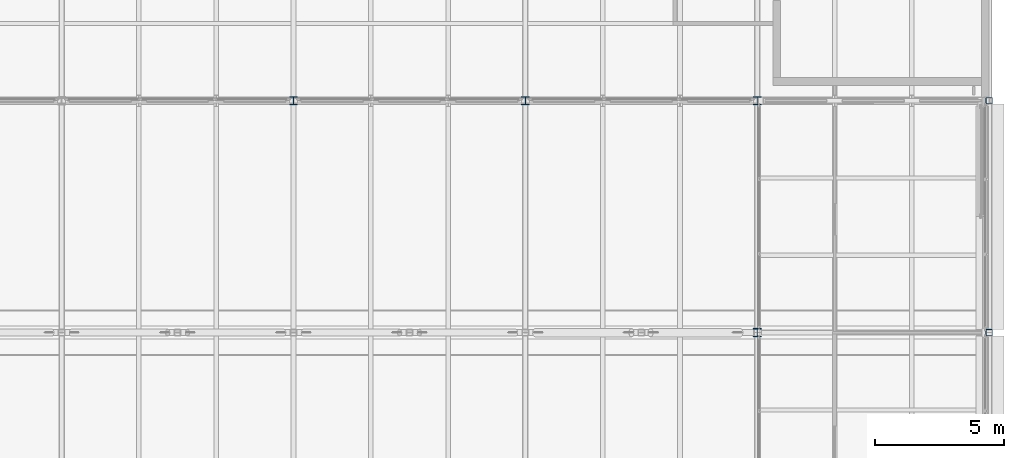
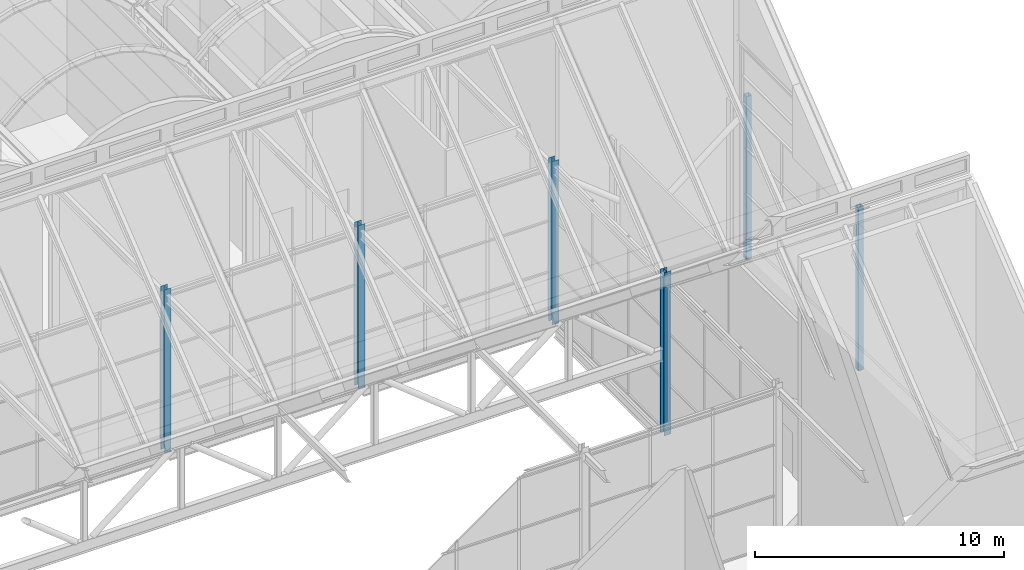
# One storey, part 4 of 144: 6 columns.
"""IFC4 building model written with IfcOpenShell, lengths in metres."""

from ifc_helpers import new_model, si_unit, direction, frame, origin, origin_2d, place, context, subcontext, project, spatial, hollow_rectangle, i_section, extrude, material, material_profile, profile_set, type_object, element, save


model = new_model("IFC4")

# Units and contexts
model_context = context("Model", 3, precision=1e-05, world=origin(), true_north=direction((0.0, 1.0)))
body_context = subcontext(model_context, "Body", "Model", "MODEL_VIEW")
ifc_project = project(units=[si_unit("LENGTHUNIT", "METRE"), si_unit("AREAUNIT", "SQUARE_METRE"), si_unit("VOLUMEUNIT", "CUBIC_METRE"), si_unit("PLANEANGLEUNIT", "RADIAN"), si_unit("MASSUNIT", "GRAM", prefix="KILO")], contexts=[model_context])

# Site, building, storey
site_placement = place(None, origin())
site = spatial("IfcSite", under=ifc_project, at=site_placement, CompositionType="ELEMENT")
building_placement = place(site_placement, origin())
building = spatial("IfcBuilding", under=site, at=building_placement, Name="Shorebreak Coast Museum", CompositionType="ELEMENT")
storey_placement = place(building_placement, frame((0.0, 0.0, 36.0)))
storey = spatial("IfcBuildingStorey", under=building, at=storey_placement, Name="L06", CompositionType="ELEMENT", Elevation=36.0)

# Columns
ifc_material_1 = material(Name="Steel Grade C450L0", Category="steel")
ifc_material_profile_1 = material_profile(ifc_material_1, hollow_rectangle(XDim=0.25, YDim=0.25, WallThickness=0.009033203125, InnerFilletRadius=0.013427734375, OuterFilletRadius=0.0224609375, at=origin_2d()), Name="250x250x9.0 SHS")
ifc_profile_set_1 = profile_set([ifc_material_profile_1], Name="Steel Grade C450L0")
column_type_1 = type_object("IfcColumnType", Name="Column 250x250x9.0 SHS", PredefinedType="COLUMN", material=ifc_profile_set_1)
for number, where, z_axis, x_axis, name in (
    (1, (117.0, 72.0, 0.0), (0.0, 0.0, 1.0), (1.0, 0.0, 0.0), "Column L06 14J"),
    (2, (117.0, 81.0, 0.0), (0.0, 0.0, 1.0), (1.0, 0.0, 0.0), "Column L06 14K"),
):
    element("IfcColumn", number, at=place(storey_placement, frame(where, z_axis=z_axis, x_axis=x_axis)), inside=storey, type_object=column_type_1, Name=name, PredefinedType="COLUMN", context=body_context, shape_type="SweptSolid", body=[
        extrude(hollow_rectangle(XDim=0.25, YDim=0.25, WallThickness=0.009033203125, InnerFilletRadius=0.013427734375, OuterFilletRadius=0.0224609375, at=origin_2d()), origin(), (0.0, 0.0, 1.0), 8.0),
    ])
ifc_material_2 = material(Name="Steel Grade 300", Category="steel")
ifc_material_profile_2 = material_profile(ifc_material_2, i_section(OverallWidth=0.306884765625, OverallDepth=0.314697265625, WebThickness=0.011962890625, FlangeThickness=0.018798828125, FilletRadius=0.0166015625, at=origin_2d()), Name="310UC118")
ifc_profile_set_2 = profile_set([ifc_material_profile_2], Name="Steel Grade 300")
column_type_2 = type_object("IfcColumnType", Name="Column 310UC118", PredefinedType="COLUMN", material=ifc_profile_set_2)
for number, where, z_axis, x_axis, name in (
    (3, (90.0, 81.0, 0.0), (0.0, 0.0, 1.0), (1.0, 0.0, 0.0), "Column L06 11K"),
    (4, (99.0, 81.0, 0.0), (0.0, 0.0, 1.0), (1.0, 0.0, 0.0), "Column L06 12K"),
    (5, (108.0, 81.0, 0.0), (0.0, 0.0, 1.0), (1.0, 0.0, 0.0), "Column L06 13K"),
):
    element("IfcColumn", number, at=place(storey_placement, frame(where, z_axis=z_axis, x_axis=x_axis)), inside=storey, type_object=column_type_2, Name=name, PredefinedType="COLUMN", context=body_context, shape_type="SweptSolid", body=[
        extrude(i_section(OverallWidth=0.306884765625, OverallDepth=0.314697265625, WebThickness=0.011962890625, FlangeThickness=0.018798828125, FilletRadius=0.0166015625, at=origin_2d()), origin(), (0.0, 0.0, 1.0), 8.0),
    ])
ifc_material_3 = material(Name="Steel Grade 300", Category="steel")
ifc_material_profile_3 = material_profile(ifc_material_3, i_section(OverallWidth=0.31103515625, OverallDepth=0.3271484375, WebThickness=0.015625, FlangeThickness=0.02490234375, FilletRadius=0.0166015625, at=origin_2d()), Name="310UC158")
ifc_profile_set_3 = profile_set([ifc_material_profile_3], Name="Steel Grade 300")
column_type_3 = type_object("IfcColumnType", Name="Column 310UC158", PredefinedType="COLUMN", material=ifc_profile_set_3)
column_placement = place(storey_placement, frame((108.0, 72.0, 0.0), z_axis=(0.0, 0.0, 1.0), x_axis=(1.0, 0.0, 0.0)))
element("IfcColumn", 6, at=column_placement, inside=storey, type_object=column_type_3, Name="Column L06 13J", PredefinedType="COLUMN", context=body_context, shape_type="SweptSolid", body=[
    extrude(i_section(OverallWidth=0.31103515625, OverallDepth=0.3271484375, WebThickness=0.015625, FlangeThickness=0.02490234375, FilletRadius=0.0166015625, at=origin_2d()), origin(), (0.0, 0.0, 1.0), 8.0),
])

save(model, "model.ifc")
